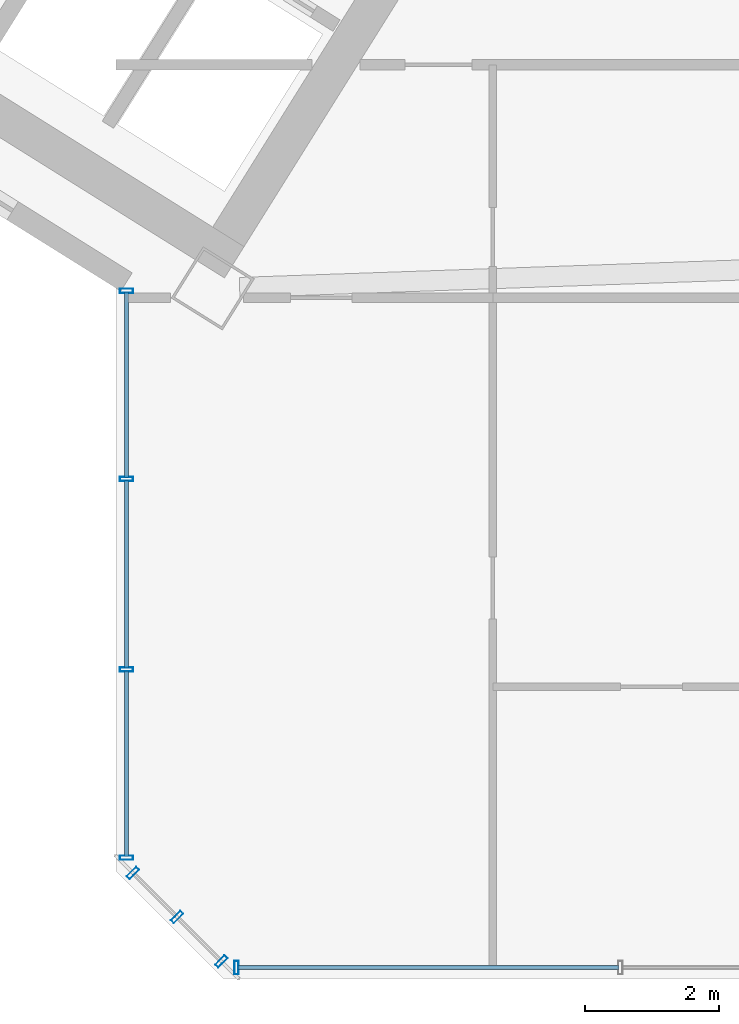
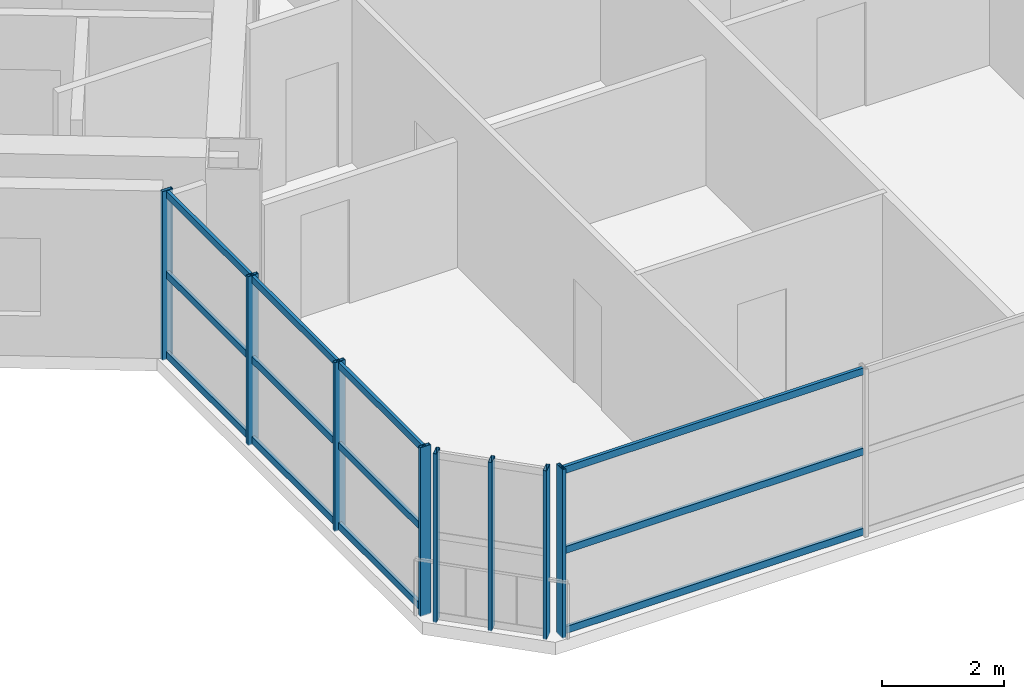
# One storey, part 4 of 20: 20 members, 3 elements without a shape of their own.
"""IFC4 building model written with IfcOpenShell, lengths in metres."""

from ifc_helpers import new_model, si_unit, direction, frame, origin, origin_2d, place, context, subcontext, project, spatial, hollow_rectangle, extrude, source, transform, mapped, material, material_profile, profile_set, type_object, element, aggregate, save


model = new_model("IFC4")

# Units and contexts
model_context = context("Model", 3, precision=1e-05, world=origin(), true_north=direction((0.0, 1.0)))
body_context = subcontext(model_context, "Body", "Model", "MODEL_VIEW")
ifc_project = project(units=[si_unit("LENGTHUNIT", "METRE"), si_unit("AREAUNIT", "SQUARE_METRE"), si_unit("VOLUMEUNIT", "CUBIC_METRE"), si_unit("PLANEANGLEUNIT", "RADIAN"), si_unit("MASSUNIT", "GRAM", prefix="KILO")], contexts=[model_context])

# Site, building, storey
site_placement = place(None, origin())
site = spatial("IfcSite", under=ifc_project, at=site_placement, CompositionType="ELEMENT")
building_placement = place(site_placement, origin())
building = spatial("IfcBuilding", under=site, at=building_placement, Name="Tlacorven Tower", CompositionType="ELEMENT")
storey_placement = place(building_placement, frame((0.0, 0.0, 116.10009765625)))
storey = spatial("IfcBuildingStorey", under=building, at=storey_placement, Name="L29", CompositionType="ELEMENT", Elevation=116.10009765625)

# Curtain wall, member
ifc_material_1 = material(Name="Dark solar low-E double glazing in aluminium frame", Category="aluminium")
curtain_wall_type = type_object("IfcCurtainWallType", Name="CW-TWR-MID", PredefinedType="USERDEFINED", material=ifc_material_1)
curtain_wall_1_placement = place(storey_placement, origin())
curtain_wall_1 = element("IfcCurtainWall", 1, at=curtain_wall_1_placement, inside=storey, type_object=curtain_wall_type, Name="L29 CW-TWR-MID Curtain Wall 144", ObjectType="UNITISED CURTAIN WALL", PredefinedType="USERDEFINED")
ifc_material_2 = material(Name="Aluminium 6063-T6 anodised", Category="aluminium")
ifc_material_profile_1 = material_profile(ifc_material_2, hollow_rectangle(XDim=0.06494140625, YDim=0.199951171875, WallThickness=0.00439453125, at=origin_2d()), Name="ALU MULLION 65X200")
ifc_profile_set_1 = profile_set([ifc_material_profile_1], Name="Aluminium 6063-T6 anodised")
member_type_1 = type_object("IfcMemberType", Name="CWM-02", PredefinedType="MULLION", material=ifc_profile_set_1)
shared_shape_1 = source(origin(), body_context, "Body", "SweptSolid", [
    extrude(hollow_rectangle(XDim=0.06494140625, YDim=0.199951171875, WallThickness=0.00439453125, at=origin_2d()), origin(), (0.0, 0.0, 1.0), 3.3798828125),
])
member_1_placement = place(storey_placement, frame((33.398681640625, 1.9599609375, -0.02001953125), z_axis=(0.0, 0.0, 1.0), x_axis=(-1.0, 0.0, 0.0)))
member_1 = element("IfcMember", 2, at=member_1_placement, type_object=member_type_1, Name="CW-L29-144 Mullion 4", PredefinedType="MULLION", context=body_context, shape_type="MappedRepresentation", body=[
    mapped(shared_shape_1, transform((0.0, 0.0, 0.0), scale=1.0)),
])

# Curtain wall, members
curtain_wall_2_placement = place(storey_placement, origin())
curtain_wall_2 = element("IfcCurtainWall", 3, at=curtain_wall_2_placement, inside=storey, type_object=curtain_wall_type, Name="L29 CW-TWR-MID Curtain Wall 145", ObjectType="UNITISED CURTAIN WALL", PredefinedType="USERDEFINED")
member_2_placement = place(storey_placement, frame((33.172607421875, 2.0537109375, -0.02001953125), z_axis=(0.0, 0.0, 1.0), x_axis=(-0.707106781187, 0.707106781187, 0.0)))
member_2 = element("IfcMember", 4, at=member_2_placement, type_object=member_type_1, Name="CW-L29-145 Mullion 1", PredefinedType="MULLION", context=body_context, shape_type="MappedRepresentation", body=[
    mapped(shared_shape_1, transform((0.0, 0.0, 0.0), scale=1.0)),
])
member_3_placement = place(storey_placement, frame((32.51318359375, 2.713134765625, -0.02001953125), z_axis=(0.0, 0.0, 1.0), x_axis=(-0.707106781187, 0.707106781187, 0.0)))
member_3 = element("IfcMember", 5, at=member_3_placement, type_object=member_type_1, Name="CW-L29-145 Mullion 2", PredefinedType="MULLION", context=body_context, shape_type="MappedRepresentation", body=[
    mapped(shared_shape_1, transform((0.0, 0.0, 0.0), scale=1.0)),
])
member_4_placement = place(storey_placement, frame((31.853759765625, 3.37255859375, -0.02001953125), z_axis=(0.0, 0.0, 1.0), x_axis=(-0.707106781187, 0.707106781187, 0.0)))
member_4 = element("IfcMember", 6, at=member_4_placement, type_object=member_type_1, Name="CW-L29-145 Mullion 3", PredefinedType="MULLION", context=body_context, shape_type="MappedRepresentation", body=[
    mapped(shared_shape_1, transform((0.0, 0.0, 0.0), scale=1.0)),
])
aggregate(curtain_wall_2, [member_2, member_3, member_4])

curtain_wall_3_placement = place(storey_placement, origin())
curtain_wall_3 = element("IfcCurtainWall", 7, at=curtain_wall_3_placement, inside=storey, type_object=curtain_wall_type, Name="L29 CW-TWR-MID Curtain Wall 146", ObjectType="UNITISED CURTAIN WALL", PredefinedType="USERDEFINED")
member_5_placement = place(storey_placement, frame((31.760009765625, 3.598876953125, -0.02001953125), z_axis=(0.0, 0.0, 1.0), x_axis=(0.0, 1.0, 0.0)))
member_5 = element("IfcMember", 8, at=member_5_placement, type_object=member_type_1, Name="CW-L29-146 Mullion 1", PredefinedType="MULLION", context=body_context, shape_type="MappedRepresentation", body=[
    mapped(shared_shape_1, transform((0.0, 0.0, 0.0), scale=1.0)),
])
member_6_placement = place(storey_placement, frame((31.760009765625, 6.4052734375, -0.02001953125), z_axis=(0.0, 0.0, 1.0), x_axis=(0.0, 1.0, 0.0)))
member_6 = element("IfcMember", 9, at=member_6_placement, type_object=member_type_1, Name="CW-L29-146 Mullion 2", PredefinedType="MULLION", context=body_context, shape_type="MappedRepresentation", body=[
    mapped(shared_shape_1, transform((0.0, 0.0, 0.0), scale=1.0)),
])
member_7_placement = place(storey_placement, frame((31.760009765625, 9.244140625, -0.02001953125), z_axis=(0.0, 0.0, 1.0), x_axis=(0.0, 1.0, 0.0)))
member_7 = element("IfcMember", 10, at=member_7_placement, type_object=member_type_1, Name="CW-L29-146 Mullion 3", PredefinedType="MULLION", context=body_context, shape_type="MappedRepresentation", body=[
    mapped(shared_shape_1, transform((0.0, 0.0, 0.0), scale=1.0)),
])
member_8_placement = place(storey_placement, frame((31.760009765625, 12.050537109375, -0.02001953125), z_axis=(0.0, 0.0, 1.0), x_axis=(0.0, 1.0, 0.0)))
member_8 = element("IfcMember", 11, at=member_8_placement, type_object=member_type_1, Name="CW-L29-146 Mullion 4", PredefinedType="MULLION", context=body_context, shape_type="MappedRepresentation", body=[
    mapped(shared_shape_1, transform((0.0, 0.0, 0.0), scale=1.0)),
])

# Member
ifc_material_profile_2 = material_profile(ifc_material_2, hollow_rectangle(XDim=0.06005859375, YDim=0.139892578125, WallThickness=0.00390625, at=origin_2d()), Name="ALU TRANSOM 60X140")
ifc_profile_set_2 = profile_set([ifc_material_profile_2], Name="Aluminium 6063-T6 anodised")
member_type_2 = type_object("IfcMemberType", Name="CWT-02", PredefinedType="USERDEFINED", material=ifc_profile_set_2)
shared_shape_2 = source(origin(), body_context, "Body", "SweptSolid", [
    extrude(hollow_rectangle(XDim=0.06005859375, YDim=0.139892578125, WallThickness=0.00390625, at=origin_2d()), origin(), (0.0, 0.0, 1.0), 5.682373046875),
])
member_9_placement = place(storey_placement, frame((39.1015625, 1.9599609375, 0.06982421875), z_axis=(-1.0, 0.0, 0.0), x_axis=(0.0, -1.0, 0.0)))
member_9 = element("IfcMember", 12, at=member_9_placement, type_object=member_type_2, Name="CW-L29-144 Transom 7", ObjectType="TRANSOM", PredefinedType="USERDEFINED", context=body_context, shape_type="MappedRepresentation", body=[
    mapped(shared_shape_2, transform((0.0, 0.0, 0.0), scale=1.0)),
])

member_10_placement = place(storey_placement, frame((39.1015625, 1.9599609375, 1.6748046875), z_axis=(-1.0, 0.0, 0.0), x_axis=(0.0, -1.0, 0.0)))
member_10 = element("IfcMember", 13, at=member_10_placement, type_object=member_type_2, Name="CW-L29-144 Transom 8", ObjectType="TRANSOM", PredefinedType="USERDEFINED", context=body_context, shape_type="MappedRepresentation", body=[
    mapped(shared_shape_2, transform((0.0, 0.0, 0.0), scale=1.0)),
])

member_11_placement = place(storey_placement, frame((39.1015625, 1.9599609375, 3.27978515625), z_axis=(-1.0, 0.0, 0.0), x_axis=(0.0, -1.0, 0.0)))
member_11 = element("IfcMember", 14, at=member_11_placement, type_object=member_type_2, Name="CW-L29-144 Transom 9", ObjectType="TRANSOM", PredefinedType="USERDEFINED", context=body_context, shape_type="MappedRepresentation", body=[
    mapped(shared_shape_2, transform((0.0, 0.0, 0.0), scale=1.0)),
])

aggregate(curtain_wall_1, [member_1, member_9, member_10, member_11])

shared_shape_3 = source(origin(), body_context, "Body", "SweptSolid", [
    extrude(hollow_rectangle(XDim=0.06005859375, YDim=0.139892578125, WallThickness=0.00390625, at=origin_2d()), origin(), (0.0, 0.0, 1.0), 2.765380859375),
])
member_12_placement = place(storey_placement, frame((31.760009765625, 3.619384765625, 0.06982421875), z_axis=(0.0, 1.0, 0.0), x_axis=(-1.0, 0.0, 0.0)))
member_12 = element("IfcMember", 15, at=member_12_placement, type_object=member_type_2, Name="CW-L29-146 Transom 1", ObjectType="TRANSOM", PredefinedType="USERDEFINED", context=body_context, shape_type="MappedRepresentation", body=[
    mapped(shared_shape_3, transform((0.0, 0.0, 0.0), scale=1.0)),
])

member_13_placement = place(storey_placement, frame((31.760009765625, 3.619384765625, 1.6748046875), z_axis=(0.0, 1.0, 0.0), x_axis=(-1.0, 0.0, 0.0)))
member_13 = element("IfcMember", 16, at=member_13_placement, type_object=member_type_2, Name="CW-L29-146 Transom 2", ObjectType="TRANSOM", PredefinedType="USERDEFINED", context=body_context, shape_type="MappedRepresentation", body=[
    mapped(shared_shape_3, transform((0.0, 0.0, 0.0), scale=1.0)),
])

member_14_placement = place(storey_placement, frame((31.760009765625, 3.619384765625, 3.27978515625), z_axis=(0.0, 1.0, 0.0), x_axis=(-1.0, 0.0, 0.0)))
member_14 = element("IfcMember", 17, at=member_14_placement, type_object=member_type_2, Name="CW-L29-146 Transom 3", ObjectType="TRANSOM", PredefinedType="USERDEFINED", context=body_context, shape_type="MappedRepresentation", body=[
    mapped(shared_shape_3, transform((0.0, 0.0, 0.0), scale=1.0)),
])

member_15_placement = place(storey_placement, frame((31.760009765625, 9.2646484375, 0.06982421875), z_axis=(0.0, 1.0, 0.0), x_axis=(-1.0, 0.0, 0.0)))
member_15 = element("IfcMember", 18, at=member_15_placement, type_object=member_type_2, Name="CW-L29-146 Transom 7", ObjectType="TRANSOM", PredefinedType="USERDEFINED", context=body_context, shape_type="MappedRepresentation", body=[
    mapped(shared_shape_3, transform((0.0, 0.0, 0.0), scale=1.0)),
])

member_16_placement = place(storey_placement, frame((31.760009765625, 9.2646484375, 1.6748046875), z_axis=(0.0, 1.0, 0.0), x_axis=(-1.0, 0.0, 0.0)))
member_16 = element("IfcMember", 19, at=member_16_placement, type_object=member_type_2, Name="CW-L29-146 Transom 8", ObjectType="TRANSOM", PredefinedType="USERDEFINED", context=body_context, shape_type="MappedRepresentation", body=[
    mapped(shared_shape_3, transform((0.0, 0.0, 0.0), scale=1.0)),
])

member_17_placement = place(storey_placement, frame((31.760009765625, 9.2646484375, 3.27978515625), z_axis=(0.0, 1.0, 0.0), x_axis=(-1.0, 0.0, 0.0)))
member_17 = element("IfcMember", 20, at=member_17_placement, type_object=member_type_2, Name="CW-L29-146 Transom 9", ObjectType="TRANSOM", PredefinedType="USERDEFINED", context=body_context, shape_type="MappedRepresentation", body=[
    mapped(shared_shape_3, transform((0.0, 0.0, 0.0), scale=1.0)),
])

shared_shape_4 = source(origin(), body_context, "Body", "SweptSolid", [
    extrude(hollow_rectangle(XDim=0.06005859375, YDim=0.139892578125, WallThickness=0.00390625, at=origin_2d()), origin(), (0.0, 0.0, 1.0), 2.7978515625),
])
member_18_placement = place(storey_placement, frame((31.760009765625, 6.42578125, 0.06982421875), z_axis=(0.0, 1.0, 0.0), x_axis=(-1.0, 0.0, 0.0)))
member_18 = element("IfcMember", 21, at=member_18_placement, type_object=member_type_2, Name="CW-L29-146 Transom 4", ObjectType="TRANSOM", PredefinedType="USERDEFINED", context=body_context, shape_type="MappedRepresentation", body=[
    mapped(shared_shape_4, transform((0.0, 0.0, 0.0), scale=1.0)),
])

member_19_placement = place(storey_placement, frame((31.760009765625, 6.42578125, 1.6748046875), z_axis=(0.0, 1.0, 0.0), x_axis=(-1.0, 0.0, 0.0)))
member_19 = element("IfcMember", 22, at=member_19_placement, type_object=member_type_2, Name="CW-L29-146 Transom 5", ObjectType="TRANSOM", PredefinedType="USERDEFINED", context=body_context, shape_type="MappedRepresentation", body=[
    mapped(shared_shape_4, transform((0.0, 0.0, 0.0), scale=1.0)),
])

member_20_placement = place(storey_placement, frame((31.760009765625, 6.42578125, 3.27978515625), z_axis=(0.0, 1.0, 0.0), x_axis=(-1.0, 0.0, 0.0)))
member_20 = element("IfcMember", 23, at=member_20_placement, type_object=member_type_2, Name="CW-L29-146 Transom 6", ObjectType="TRANSOM", PredefinedType="USERDEFINED", context=body_context, shape_type="MappedRepresentation", body=[
    mapped(shared_shape_4, transform((0.0, 0.0, 0.0), scale=1.0)),
])

aggregate(curtain_wall_3, [member_5, member_6, member_7, member_8, member_12, member_13, member_14, member_18, member_19, member_20, member_15, member_16, member_17])

save(model, "model.ifc")
